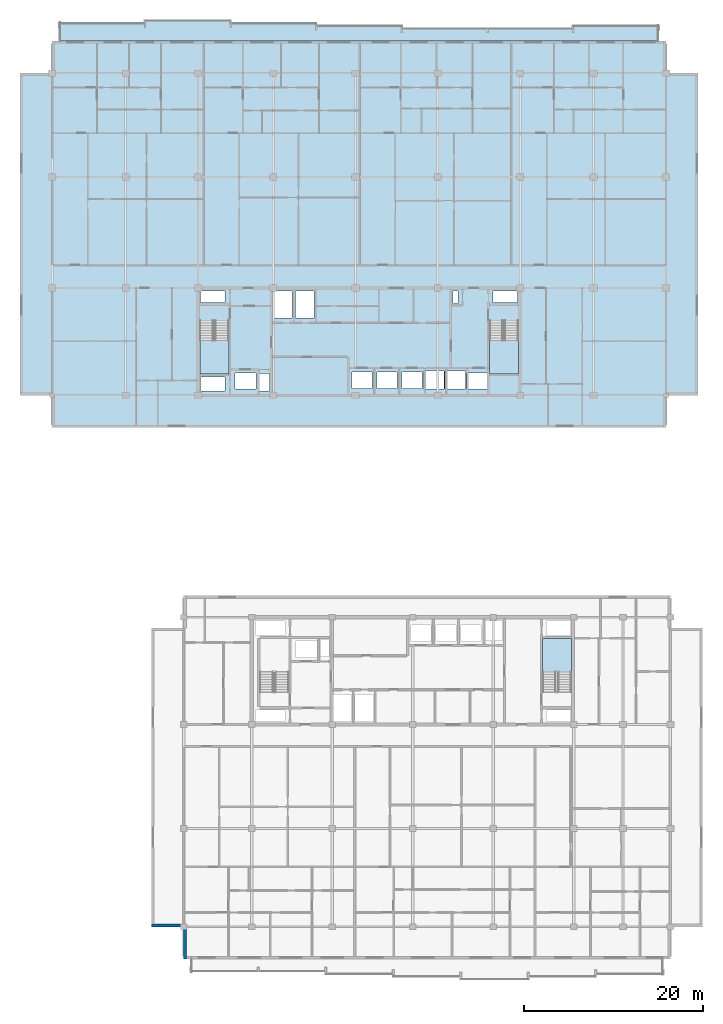
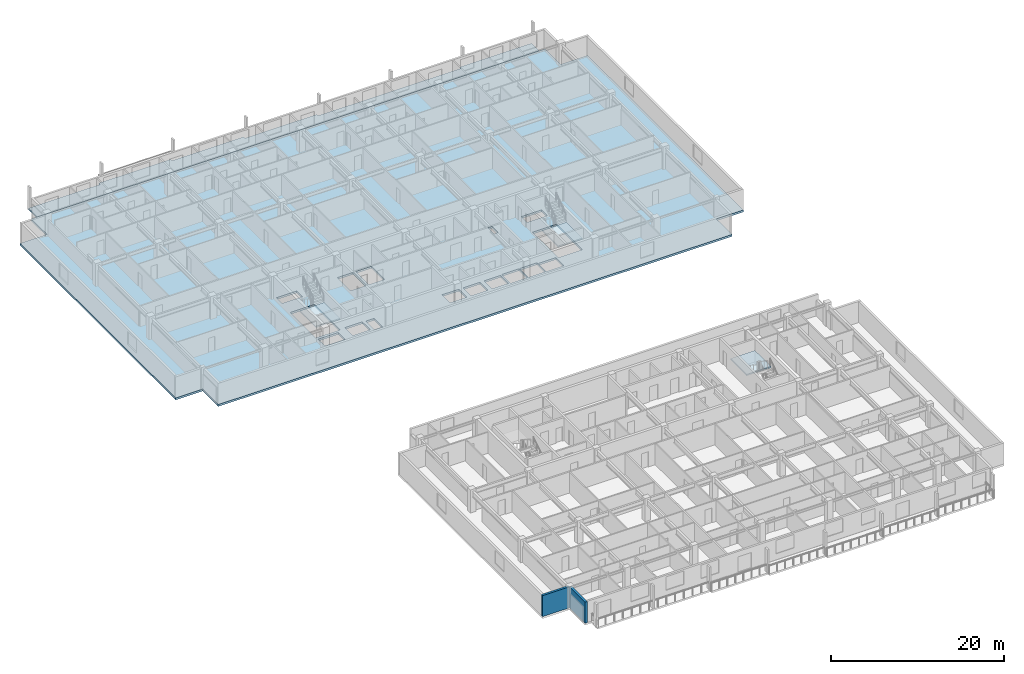
# One storey, part 3 of 23: 5 slabs, 2 walls, 3 elements without a shape of their own.
"""IFC4 building model written with IfcOpenShell, lengths in metres."""

from ifc_helpers import new_model, si_unit, direction, frame, frame_2d, origin, place, context, subcontext, project, spatial, polyline, rectangle, outline, extrude, material, layer, layer_set, type_object, element, aggregate, save


model = new_model("IFC4")

# Units and contexts
model_context = context("Model", 3, precision=1e-05, world=origin(), true_north=direction((0.0, 1.0)))
body_context = subcontext(model_context, "Body", "Model", "MODEL_VIEW")
ifc_project = project(units=[si_unit("LENGTHUNIT", "METRE"), si_unit("AREAUNIT", "SQUARE_METRE"), si_unit("VOLUMEUNIT", "CUBIC_METRE"), si_unit("PLANEANGLEUNIT", "RADIAN"), si_unit("MASSUNIT", "GRAM", prefix="KILO")], contexts=[model_context])

# Site, building, storey
site_placement = place(None, origin())
site = spatial("IfcSite", under=ifc_project, at=site_placement, CompositionType="ELEMENT")
building_placement = place(site_placement, origin())
building = spatial("IfcBuilding", under=site, at=building_placement, Name="Korimba Cascade Residences", CompositionType="ELEMENT")
storey_placement = place(building_placement, frame((0.0, 0.0, 165.35009765625)))
storey = spatial("IfcBuildingStorey", under=building, at=storey_placement, Name="L47", CompositionType="ELEMENT", Elevation=165.35009765625)

# Stair, slab
ifc_material_1 = material(Name="Concrete C50/60", Category="concrete")
stair_type_1 = type_object("IfcStairType", Name="STR-W1-18R-1806", PredefinedType="HALF_TURN_STAIR", material=ifc_material_1)
stair_1_placement = place(storey_placement, origin())
stair_1 = element("IfcStair", 1, at=stair_1_placement, inside=storey, type_object=stair_type_1, Name="L47 Tower 1 West Fire Stair ST-W1", PredefinedType="HALF_TURN_STAIR")
ifc_layer_1 = layer(ifc_material_1, 0.199951171875)
ifc_layer_set_1 = layer_set([ifc_layer_1], Name="Concrete C50/60")
slab_type_1 = type_object("IfcSlabType", Name="SLB-LND-220", PredefinedType="LANDING", material=ifc_layer_set_1)
slab_1_placement = place(storey_placement, frame((0.0, 0.0, 1.4248046875)))
slab_1 = element("IfcSlab", 2, at=slab_1_placement, type_object=slab_type_1, Name="ST-W1 landing 1", PredefinedType="LANDING", context=body_context, shape_type="SweptSolid", body=[
    extrude(outline(polyline([(76.300048828125, 61.31005859375), (76.300048828125, 57.60009765625), (79.5400390625, 57.60009765625), (79.5400390625, 61.31005859375), (76.300048828125, 61.31005859375)])), origin(), (0.0, 0.0, 1.0), 0.2001953125),
])
aggregate(stair_1, [slab_1])

stair_type_2 = type_object("IfcStairType", Name="STR-W2-18R-1806", PredefinedType="HALF_TURN_STAIR", material=ifc_material_1)
stair_2_placement = place(storey_placement, origin())
stair_2 = element("IfcStair", 3, at=stair_2_placement, inside=storey, type_object=stair_type_2, Name="L47 Tower 1 East Fire Stair ST-W2", PredefinedType="HALF_TURN_STAIR")
slab_2_placement = place(storey_placement, frame((0.0, 0.0, 1.4248046875)))
slab_2 = element("IfcSlab", 4, at=slab_2_placement, type_object=slab_type_1, Name="ST-W2 landing 1", PredefinedType="LANDING", context=body_context, shape_type="SweptSolid", body=[
    extrude(outline(polyline([(108.659912109375, 61.31005859375), (108.659912109375, 57.60009765625), (111.89990234375, 57.60009765625), (111.89990234375, 61.31005859375), (108.659912109375, 61.31005859375)])), origin(), (0.0, 0.0, 1.0), 0.2001953125),
])
aggregate(stair_2, [slab_2])

stair_type_3 = type_object("IfcStairType", Name="STR-E2-18R-1806", PredefinedType="HALF_TURN_STAIR", material=ifc_material_1)
stair_3_placement = place(storey_placement, origin())
stair_3 = element("IfcStair", 5, at=stair_3_placement, inside=storey, type_object=stair_type_3, Name="L47 Tower 2 East Fire Stair ST-E2", PredefinedType="HALF_TURN_STAIR")
slab_3_placement = place(storey_placement, frame((0.0, 0.0, 1.4248046875)))
slab_3 = element("IfcSlab", 6, at=slab_3_placement, type_object=slab_type_1, Name="ST-E2 landing 1", PredefinedType="LANDING", context=body_context, shape_type="SweptSolid", body=[
    extrude(outline(polyline([(117.840087890625, 24.2900390625), (117.840087890625, 28.0), (114.60009765625, 28.0), (114.60009765625, 24.2900390625), (117.840087890625, 24.2900390625)])), origin(), (0.0, 0.0, 1.0), 0.2001953125),
])
aggregate(stair_3, [slab_3])

# Slabs
ifc_material_2 = material(Name="Precast concrete C40/50", Category="concrete")
ifc_layer_2 = layer(ifc_material_2, 0.239990234375)
ifc_layer_set_2 = layer_set([ifc_layer_2], Name="Precast concrete C40/50")
slab_type_2 = type_object("IfcSlabType", Name="SLB-LOG-240", PredefinedType="FLOOR", material=ifc_layer_set_2)
slab_4_placement = place(storey_placement, frame((0.0, 0.0, -0.239990234375)))
element("IfcSlab", 7, at=slab_4_placement, inside=storey, type_object=slab_type_2, Name="L47 Tower 1 North Loggia Slab", PredefinedType="FLOOR", context=body_context, shape_type="SweptSolid", body=[
    extrude(outline(polyline([(60.60009765625, 94.800048828125), (127.60009765625, 94.800048828125), (127.60009765625, 96.550048828125), (118.028564453125, 96.550048828125), (118.028564453125, 96.25), (98.8857421875, 96.25), (98.8857421875, 96.550048828125), (89.314208984375, 96.550048828125), (89.314208984375, 96.85009765625), (79.742919921875, 96.85009765625), (79.742919921875, 97.14990234375), (70.17138671875, 97.14990234375), (70.17138671875, 96.85009765625), (60.60009765625, 96.85009765625), (60.60009765625, 94.800048828125)])), origin(), (0.0, 0.0, 1.0), 0.239990234375),
])
ifc_layer_3 = layer(ifc_material_1, 0.280029296875)
ifc_layer_set_3 = layer_set([ifc_layer_3], Name="Concrete C50/60")
slab_type_3 = type_object("IfcSlabType", Name="SLB-TYP-280", PredefinedType="FLOOR", material=ifc_layer_set_3)
slab_5_placement = place(storey_placement, frame((0.0, 0.0, -0.280029296875)))
element("IfcSlab", 8, at=slab_5_placement, inside=storey, type_object=slab_type_3, Name="L47 Tower 1 Floor Slab", PredefinedType="FLOOR", context=body_context, shape_type="SweptSolid", body=[
    extrude(outline(polyline([(59.800048828125, 51.60009765625), (128.39990234375, 51.60009765625), (128.39990234375, 55.199951171875), (132.0, 55.199951171875), (132.0, 91.199951171875), (128.39990234375, 91.199951171875), (128.39990234375, 94.800048828125), (59.800048828125, 94.800048828125), (59.800048828125, 91.199951171875), (56.199951171875, 91.199951171875), (56.199951171875, 55.199951171875), (59.800048828125, 55.199951171875), (59.800048828125, 51.60009765625)]), holes=[polyline([(76.300048828125, 63.514892578125), (76.300048828125, 57.60009765625), (79.5400390625, 57.60009765625), (79.5400390625, 63.514892578125), (76.300048828125, 63.514892578125)]), polyline([(108.659912109375, 63.514892578125), (108.659912109375, 57.60009765625), (111.89990234375, 57.60009765625), (111.89990234375, 63.514892578125), (108.659912109375, 63.514892578125)]), polyline([(80.22998046875, 55.8798828125), (82.570068359375, 55.8798828125), (82.570068359375, 57.719970703125), (80.22998046875, 57.719970703125), (80.22998046875, 55.8798828125)]), polyline([(106.080078125, 55.8798828125), (108.419921875, 55.8798828125), (108.419921875, 57.719970703125), (106.080078125, 57.719970703125), (106.080078125, 55.8798828125)]), polyline([(93.280029296875, 55.97998046875), (95.52001953125, 55.97998046875), (95.52001953125, 57.820068359375), (93.280029296875, 57.820068359375), (93.280029296875, 55.97998046875)]), polyline([(96.080078125, 55.97998046875), (98.320068359375, 55.97998046875), (98.320068359375, 57.820068359375), (96.080078125, 57.820068359375), (96.080078125, 55.97998046875)]), polyline([(98.8798828125, 55.97998046875), (101.1201171875, 55.97998046875), (101.1201171875, 57.820068359375), (98.8798828125, 57.820068359375), (98.8798828125, 55.97998046875)]), polyline([(101.304931640625, 55.8798828125), (103.594970703125, 55.8798828125), (103.594970703125, 57.919921875), (101.304931640625, 57.919921875), (101.304931640625, 55.8798828125)]), polyline([(103.705078125, 55.8798828125), (105.9951171875, 55.8798828125), (105.9951171875, 57.919921875), (103.705078125, 57.919921875), (103.705078125, 55.8798828125)]), polyline([(82.97998046875, 55.679931640625), (84.080078125, 55.679931640625), (84.080078125, 57.6201171875), (82.97998046875, 57.6201171875), (82.97998046875, 55.679931640625)]), polyline([(76.39990234375, 65.56005859375), (79.10009765625, 65.56005859375), (79.10009765625, 66.8798828125), (76.39990234375, 66.8798828125), (76.39990234375, 65.56005859375)]), polyline([(76.39990234375, 55.679931640625), (79.10009765625, 55.679931640625), (79.10009765625, 57.239990234375), (76.39990234375, 57.239990234375), (76.39990234375, 55.679931640625)]), polyline([(84.530029296875, 63.820068359375), (86.6201171875, 63.820068359375), (86.6201171875, 66.8798828125), (84.530029296875, 66.8798828125), (84.530029296875, 63.820068359375)]), polyline([(86.97998046875, 63.820068359375), (89.070068359375, 63.820068359375), (89.070068359375, 66.8798828125), (86.97998046875, 66.8798828125), (86.97998046875, 63.820068359375)]), polyline([(104.6201171875, 65.4599609375), (105.179931640625, 65.4599609375), (105.179931640625, 66.8798828125), (104.6201171875, 66.8798828125), (104.6201171875, 65.4599609375)]), polyline([(109.080078125, 65.56005859375), (111.800048828125, 65.56005859375), (111.800048828125, 66.8798828125), (109.080078125, 66.8798828125), (109.080078125, 65.56005859375)])]), origin(), (0.0, 0.0, 1.0), 0.280029296875),
])

# Walls
ifc_layer_4 = layer(ifc_material_2, 0.300048828125)
ifc_layer_set_4 = layer_set([ifc_layer_4], Name="Precast concrete C40/50")
wall_type = type_object("IfcWallType", Name="EW-STONE-300", PredefinedType="STANDARD", material=ifc_layer_set_4)
for number, where, z_axis, x_axis, name in (
    (9, (70.89990234375, -4.050048828125, 0.0), (0.0, 0.0, 1.0), (1.0, 0.0, 0.0), "L47 T2 Perimeter Stone Wall E10"),
    (10, (74.64990234375, -4.199951171875, 0.0), (0.0, 0.0, 1.0), (0.0, -1.0, 0.0), "L47 T2 Perimeter Stone Wall E11"),
):
    element("IfcWall", number, at=place(storey_placement, frame(where, z_axis=z_axis, x_axis=x_axis)), inside=storey, type_object=wall_type, Name=name, PredefinedType="STANDARD", context=body_context, shape_type="SweptSolid", body=[
        extrude(rectangle(XDim=3.60009765625, YDim=0.300048828125, at=frame_2d((1.800048828125, 0.0))), origin(), (0.0, 0.0, 1.0), 2.969970703125),
    ])

save(model, "model.ifc")
